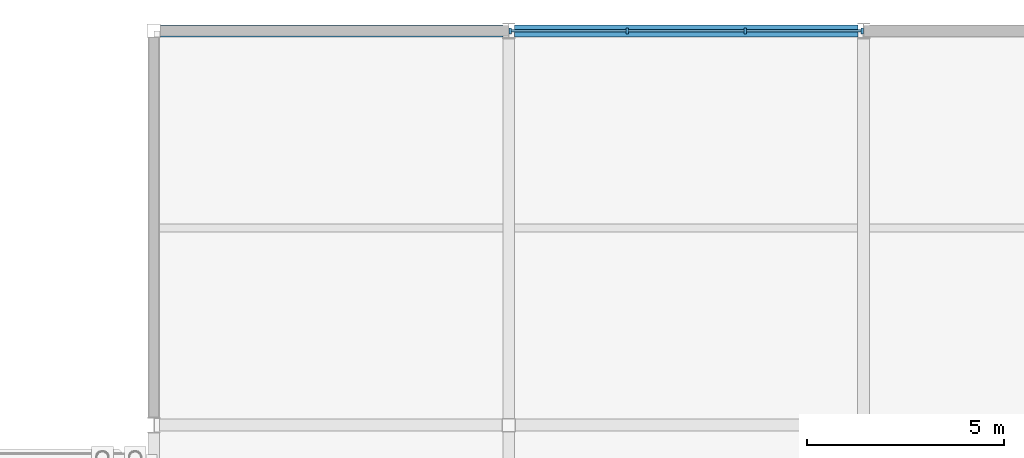
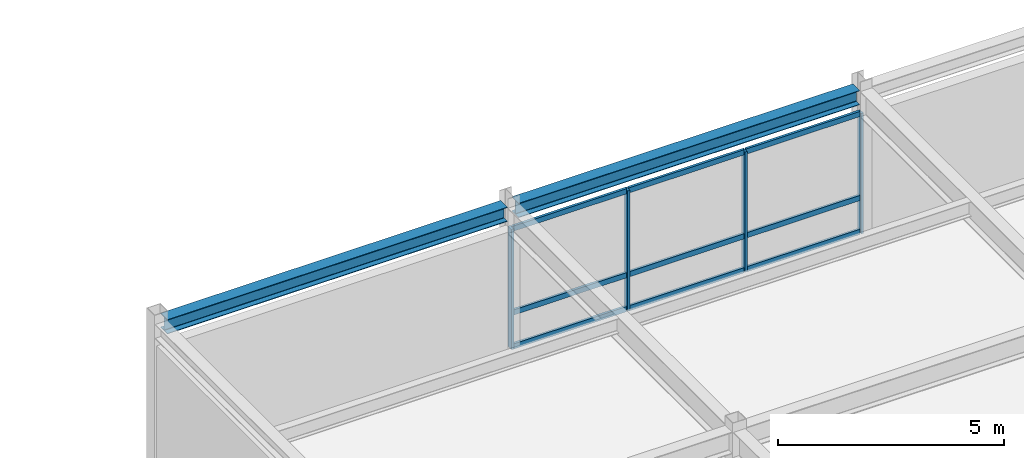
# One storey, part 25 of 53: 13 members, 2 beams, 1 element without a shape of its own.
"""IFC4 building model written with IfcOpenShell, lengths in metres."""

from ifc_helpers import new_model, si_unit, direction, frame, origin, origin_2d, place, context, subcontext, project, spatial, rectangle, i_section, extrude, material, material_profile, profile_set, type_object, element, aggregate, save


model = new_model("IFC4")

# Units and contexts
model_context = context("Model", 3, precision=1e-05, world=origin(), true_north=direction((0.0, 1.0)))
body_context = subcontext(model_context, "Body", "Model", "MODEL_VIEW")
ifc_project = project(units=[si_unit("LENGTHUNIT", "METRE"), si_unit("AREAUNIT", "SQUARE_METRE"), si_unit("VOLUMEUNIT", "CUBIC_METRE"), si_unit("PLANEANGLEUNIT", "RADIAN"), si_unit("MASSUNIT", "GRAM", prefix="KILO")], contexts=[model_context])

# Site, building, storey
site_placement = place(None, origin())
site = spatial("IfcSite", under=ifc_project, at=site_placement, CompositionType="ELEMENT")
building_placement = place(site_placement, origin())
building = spatial("IfcBuilding", under=site, at=building_placement, Name="Suzunagisa Mobility Hub", CompositionType="ELEMENT")
storey_placement = place(building_placement, frame((0.0, 0.0, 17.699951171875)))
storey = spatial("IfcBuildingStorey", under=building, at=storey_placement, Name="L04", CompositionType="ELEMENT", Elevation=17.699951171875)

# Curtain wall, members
ifc_material_1 = material(Name="Thermally Broken Anodized Aluminum and Low-E Glazing", Category="aluminium")
curtain_wall_type = type_object("IfcCurtainWallType", Name="Unitised Curtain Wall CW-33 9000x3200", PredefinedType="USERDEFINED", material=ifc_material_1)
curtain_wall_placement = place(storey_placement, origin())
curtain_wall = element("IfcCurtainWall", 1, at=curtain_wall_placement, inside=storey, type_object=curtain_wall_type, Name="L04 Unitised Curtain Wall CW-134", ObjectType="UNITISED CURTAIN WALL", PredefinedType="USERDEFINED")
ifc_material_2 = material(Name="Anodized Aluminum 6063-T6", Category="aluminium")
ifc_material_profile_1 = material_profile(ifc_material_2, rectangle(XDim=0.06494140625, YDim=0.139892578125, at=origin_2d()), Name="TRAN-65x140")
ifc_profile_set_1 = profile_set([ifc_material_profile_1], Name="Anodized Aluminum 6063-T6")
member_type_1 = type_object("IfcMemberType", Name="Curtain Wall Framing CM-01 TRAN-65x140", PredefinedType="USERDEFINED", material=ifc_profile_set_1)
member_1_placement = place(storey_placement, frame((62.9375, 118.0, 0.032470703125), z_axis=(-1.0, 0.0, 0.0), x_axis=(0.0, -1.0, 0.0)))
member_1 = element("IfcMember", 2, at=member_1_placement, type_object=member_type_1, Name="Curtain Wall Transom 134-T1.1", ObjectType="TRANSOM", PredefinedType="USERDEFINED", context=body_context, shape_type="SweptSolid", body=[
    extrude(rectangle(XDim=0.06494140625, YDim=0.139892578125, at=origin_2d()), origin(), (0.0, 0.0, 1.0), 2.910888671875),
])
member_2_placement = place(storey_placement, frame((62.9375, 118.0, 0.949951171875), z_axis=(-1.0, 0.0, 0.0), x_axis=(0.0, -1.0, 0.0)))
member_2 = element("IfcMember", 3, at=member_2_placement, type_object=member_type_1, Name="Curtain Wall Transom 134-T1.2", ObjectType="TRANSOM", PredefinedType="USERDEFINED", context=body_context, shape_type="SweptSolid", body=[
    extrude(rectangle(XDim=0.06494140625, YDim=0.139892578125, at=origin_2d()), origin(), (0.0, 0.0, 1.0), 2.910888671875),
])
member_3_placement = place(storey_placement, frame((62.9375, 118.0, 3.217529296875), z_axis=(-1.0, 0.0, 0.0), x_axis=(0.0, -1.0, 0.0)))
member_3 = element("IfcMember", 4, at=member_3_placement, type_object=member_type_1, Name="Curtain Wall Transom 134-T1.3", ObjectType="TRANSOM", PredefinedType="USERDEFINED", context=body_context, shape_type="SweptSolid", body=[
    extrude(rectangle(XDim=0.06494140625, YDim=0.139892578125, at=origin_2d()), origin(), (0.0, 0.0, 1.0), 2.910888671875),
])
member_4_placement = place(storey_placement, frame((59.970458984375, 118.0, 0.032470703125), z_axis=(-1.0, 0.0, 0.0), x_axis=(0.0, -1.0, 0.0)))
member_4 = element("IfcMember", 5, at=member_4_placement, type_object=member_type_1, Name="Curtain Wall Transom 134-T2.1", ObjectType="TRANSOM", PredefinedType="USERDEFINED", context=body_context, shape_type="SweptSolid", body=[
    extrude(rectangle(XDim=0.06494140625, YDim=0.139892578125, at=origin_2d()), origin(), (0.0, 0.0, 1.0), 2.94091796875),
])
member_5_placement = place(storey_placement, frame((59.970458984375, 118.0, 0.949951171875), z_axis=(-1.0, 0.0, 0.0), x_axis=(0.0, -1.0, 0.0)))
member_5 = element("IfcMember", 6, at=member_5_placement, type_object=member_type_1, Name="Curtain Wall Transom 134-T2.2", ObjectType="TRANSOM", PredefinedType="USERDEFINED", context=body_context, shape_type="SweptSolid", body=[
    extrude(rectangle(XDim=0.06494140625, YDim=0.139892578125, at=origin_2d()), origin(), (0.0, 0.0, 1.0), 2.94091796875),
])
member_6_placement = place(storey_placement, frame((59.970458984375, 118.0, 3.217529296875), z_axis=(-1.0, 0.0, 0.0), x_axis=(0.0, -1.0, 0.0)))
member_6 = element("IfcMember", 7, at=member_6_placement, type_object=member_type_1, Name="Curtain Wall Transom 134-T2.3", ObjectType="TRANSOM", PredefinedType="USERDEFINED", context=body_context, shape_type="SweptSolid", body=[
    extrude(rectangle(XDim=0.06494140625, YDim=0.139892578125, at=origin_2d()), origin(), (0.0, 0.0, 1.0), 2.94091796875),
])
member_7_placement = place(storey_placement, frame((56.973388671875, 118.0, 0.032470703125), z_axis=(-1.0, 0.0, 0.0), x_axis=(0.0, -1.0, 0.0)))
member_7 = element("IfcMember", 8, at=member_7_placement, type_object=member_type_1, Name="Curtain Wall Transom 134-T3.1", ObjectType="TRANSOM", PredefinedType="USERDEFINED", context=body_context, shape_type="SweptSolid", body=[
    extrude(rectangle(XDim=0.06494140625, YDim=0.139892578125, at=origin_2d()), origin(), (0.0, 0.0, 1.0), 2.910888671875),
])
member_8_placement = place(storey_placement, frame((56.973388671875, 118.0, 0.949951171875), z_axis=(-1.0, 0.0, 0.0), x_axis=(0.0, -1.0, 0.0)))
member_8 = element("IfcMember", 9, at=member_8_placement, type_object=member_type_1, Name="Curtain Wall Transom 134-T3.2", ObjectType="TRANSOM", PredefinedType="USERDEFINED", context=body_context, shape_type="SweptSolid", body=[
    extrude(rectangle(XDim=0.06494140625, YDim=0.139892578125, at=origin_2d()), origin(), (0.0, 0.0, 1.0), 2.910888671875),
])
member_9_placement = place(storey_placement, frame((56.973388671875, 118.0, 3.217529296875), z_axis=(-1.0, 0.0, 0.0), x_axis=(0.0, -1.0, 0.0)))
member_9 = element("IfcMember", 10, at=member_9_placement, type_object=member_type_1, Name="Curtain Wall Transom 134-T3.3", ObjectType="TRANSOM", PredefinedType="USERDEFINED", context=body_context, shape_type="SweptSolid", body=[
    extrude(rectangle(XDim=0.06494140625, YDim=0.139892578125, at=origin_2d()), origin(), (0.0, 0.0, 1.0), 2.910888671875),
])
ifc_material_profile_2 = material_profile(ifc_material_2, rectangle(XDim=0.06005859375, YDim=0.14990234375, at=origin_2d()), Name="MULL-60x150")
ifc_profile_set_2 = profile_set([ifc_material_profile_2], Name="Anodized Aluminum 6063-T6")
member_type_2 = type_object("IfcMemberType", Name="Curtain Wall Framing CM-03 MULL-60x150", PredefinedType="MULLION", material=ifc_profile_set_2)
member_10_placement = place(storey_placement, frame((62.965576171875, 118.0, 0.0), z_axis=(0.0, 0.0, 1.0), x_axis=(-1.0, 0.0, 0.0)))
member_10 = element("IfcMember", 11, at=member_10_placement, type_object=member_type_2, Name="Curtain Wall Mullion 134-M1", PredefinedType="MULLION", context=body_context, shape_type="SweptSolid", body=[
    extrude(rectangle(XDim=0.06005859375, YDim=0.14990234375, at=origin_2d()), origin(), (0.0, 0.0, 1.0), 3.25),
])
member_11_placement = place(storey_placement, frame((59.99853515625, 118.0, 0.0), z_axis=(0.0, 0.0, 1.0), x_axis=(-1.0, 0.0, 0.0)))
member_11 = element("IfcMember", 12, at=member_11_placement, type_object=member_type_2, Name="Curtain Wall Mullion 134-M2", PredefinedType="MULLION", context=body_context, shape_type="SweptSolid", body=[
    extrude(rectangle(XDim=0.06005859375, YDim=0.14990234375, at=origin_2d()), origin(), (0.0, 0.0, 1.0), 3.25),
])
member_12_placement = place(storey_placement, frame((57.00146484375, 118.0, 0.0), z_axis=(0.0, 0.0, 1.0), x_axis=(-1.0, 0.0, 0.0)))
member_12 = element("IfcMember", 13, at=member_12_placement, type_object=member_type_2, Name="Curtain Wall Mullion 134-M3", PredefinedType="MULLION", context=body_context, shape_type="SweptSolid", body=[
    extrude(rectangle(XDim=0.06005859375, YDim=0.14990234375, at=origin_2d()), origin(), (0.0, 0.0, 1.0), 3.25),
])
member_13_placement = place(storey_placement, frame((54.034423828125, 118.0, 0.0), z_axis=(0.0, 0.0, 1.0), x_axis=(-1.0, 0.0, 0.0)))
member_13 = element("IfcMember", 14, at=member_13_placement, type_object=member_type_2, Name="Curtain Wall Mullion 134-M4", PredefinedType="MULLION", context=body_context, shape_type="SweptSolid", body=[
    extrude(rectangle(XDim=0.06005859375, YDim=0.14990234375, at=origin_2d()), origin(), (0.0, 0.0, 1.0), 3.25),
])
aggregate(curtain_wall, [member_10, member_11, member_12, member_13, member_1, member_2, member_3, member_4, member_5, member_6, member_7, member_8, member_9])

# Beams
ifc_material_3 = material(Name="Steel SN490B", Category="steel")
ifc_material_profile_3 = material_profile(ifc_material_3, i_section(OverallWidth=0.300048828125, OverallDepth=0.389892578125, WebThickness=0.010009765625, FlangeThickness=0.01611328125, FilletRadius=0.012939453125, at=origin_2d()), Name="H-390x300x10x16")
ifc_profile_set_3 = profile_set([ifc_material_profile_3], Name="Steel SN490B")
beam_type = type_object("IfcBeamType", Name="Steel Beam BM-13 H-390x300x10x16", PredefinedType="SPANDREL", material=ifc_profile_set_3)
beam_1_placement = place(storey_placement, frame((45.1708984375, 118.0, 3.755126953125), z_axis=(1.0, 0.0, 0.0), x_axis=(0.0, 1.0, 0.0)))
element("IfcBeam", 15, at=beam_1_placement, inside=storey, type_object=beam_type, Name="L04 Primary Girder GX-1167", PredefinedType="SPANDREL", context=body_context, shape_type="SweptSolid", body=[
    extrude(i_section(OverallWidth=0.300048828125, OverallDepth=0.389892578125, WebThickness=0.010009765625, FlangeThickness=0.01611328125, FilletRadius=0.012939453125, at=origin_2d()), origin(), (0.0, 0.0, 1.0), 8.68310546875),
])
beam_2_placement = place(storey_placement, frame((54.14599609375, 118.0, 3.755126953125), z_axis=(1.0, 0.0, 0.0), x_axis=(0.0, 1.0, 0.0)))
element("IfcBeam", 16, at=beam_2_placement, inside=storey, type_object=beam_type, Name="L04 Primary Girder GX-1168", PredefinedType="SPANDREL", context=body_context, shape_type="SweptSolid", body=[
    extrude(i_section(OverallWidth=0.300048828125, OverallDepth=0.389892578125, WebThickness=0.010009765625, FlangeThickness=0.01611328125, FilletRadius=0.012939453125, at=origin_2d()), origin(), (0.0, 0.0, 1.0), 8.7080078125),
])

save(model, "model.ifc")
